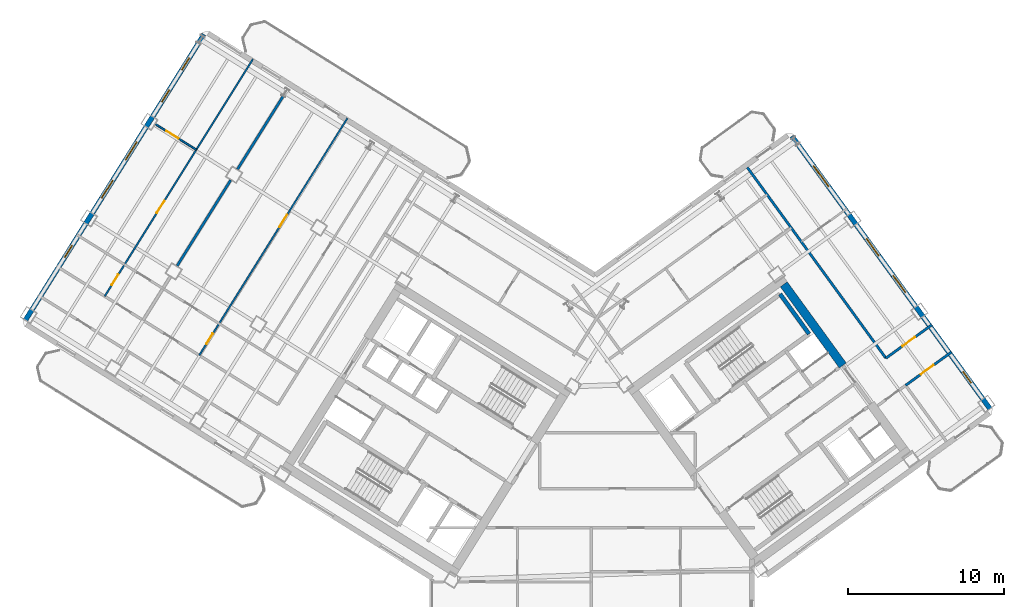
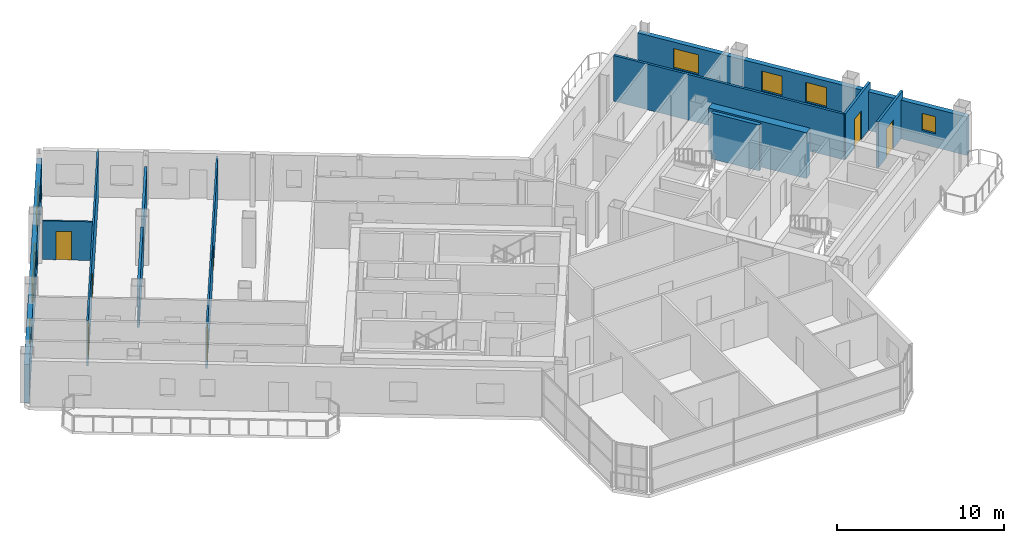
# One storey, part 15 of 20: 12 walls, 9 windows, 7 doors, 16 openings.
"""IFC4 building model written with IfcOpenShell, lengths in metres."""

from ifc_helpers import new_model, si_unit, direction, frame, frame_2d, origin, place, context, subcontext, project, spatial, rectangle, extrude, source, transform, mapped, material, layer, layer_set, type_object, element, fill, save


model = new_model("IFC4")

# Units and contexts
model_context = context("Model", 3, precision=1e-05, world=origin(), true_north=direction((0.0, 1.0)))
body_context = subcontext(model_context, "Body", "Model", "MODEL_VIEW")
ifc_project = project(units=[si_unit("LENGTHUNIT", "METRE"), si_unit("AREAUNIT", "SQUARE_METRE"), si_unit("VOLUMEUNIT", "CUBIC_METRE"), si_unit("PLANEANGLEUNIT", "RADIAN"), si_unit("MASSUNIT", "GRAM", prefix="KILO")], contexts=[model_context])

# Site, building, storey
site_placement = place(None, origin())
site = spatial("IfcSite", under=ifc_project, at=site_placement, CompositionType="ELEMENT")
building_placement = place(site_placement, origin())
building = spatial("IfcBuilding", under=site, at=building_placement, Name="Tlacorven Tower", CompositionType="ELEMENT")
storey_placement = place(building_placement, frame((0.0, 0.0, 204.0)))
storey = spatial("IfcBuildingStorey", under=building, at=storey_placement, Name="L51", CompositionType="ELEMENT", Elevation=204.0)

# Walls
ifc_material_1 = material(Name="Concrete C60/75", Category="concrete")
ifc_layer_1 = layer(ifc_material_1, 0.550048828125)
ifc_layer_set_1 = layer_set([ifc_layer_1], Name="Concrete C60/75")
wall_type_1 = type_object("IfcWallType", Name="WL-COR-550", PredefinedType="SHEAR", material=ifc_layer_set_1)
wall_1_placement = place(storey_placement, frame((58.06396484375, 25.8134765625, 0.0), z_axis=(0.0, 0.0, 1.0), x_axis=(-0.587764933797, 0.809031756236, 0.0)))
element("IfcWall", 1, at=wall_1_placement, inside=storey, type_object=wall_type_1, Name="L51 E core end wall E2.2", PredefinedType="SHEAR", context=body_context, shape_type="SweptSolid", body=[
    extrude(rectangle(XDim=6.425048828125, YDim=0.550048828125, at=frame_2d((3.21240234375, 0.0))), origin(), (0.0, 0.0, 1.0), 3.35009765625),
])
ifc_material_2 = material(Name="Gypsum plasterboard acoustic partition", Category="gypsum")
ifc_layer_2 = layer(ifc_material_2, 0.159912109375)
ifc_layer_set_2 = layer_set([ifc_layer_2], Name="Gypsum plasterboard acoustic partition")
wall_type_2 = type_object("IfcWallType", Name="WL-DEM-160", PredefinedType="PARTITIONING", material=ifc_layer_set_2)
wall_2_placement = place(storey_placement, frame((22.206298828125, 43.048828125, 0.0), z_axis=(0.0, 0.0, 1.0), x_axis=(-0.529919150083, -0.848048167486, 0.0)))
element("IfcWall", 2, at=wall_2_placement, inside=storey, type_object=wall_type_2, Name="L51 WS Demising Wall 1", PredefinedType="PARTITIONING", context=body_context, shape_type="SweptSolid", body=[
    extrude(rectangle(XDim=5.5009765625, YDim=0.159912109375, at=frame_2d((2.75048828125, 0.0))), origin(), (0.0, 0.0, 1.0), 2.824951171875),
])
wall_3_placement = place(storey_placement, frame((18.8544921875, 37.684814453125, 0.0), z_axis=(0.0, 0.0, 1.0), x_axis=(-0.529907440938, -0.848055484057, 0.0)))
element("IfcWall", 3, at=wall_3_placement, inside=storey, type_object=wall_type_2, Name="L51 WS Demising Wall 1", PredefinedType="PARTITIONING", context=body_context, shape_type="SweptSolid", body=[
    extrude(rectangle(XDim=6.475830078125, YDim=0.159912109375, at=frame_2d((3.23779296875, 0.0))), origin(), (0.0, 0.0, 1.0), 2.824951171875),
])
wall_4_placement = place(storey_placement, frame((60.829345703125, 26.277587890625, 0.0), z_axis=(0.0, 0.0, 1.0), x_axis=(-0.587777474174, 0.809022645451, 0.0)))
element("IfcWall", 4, at=wall_4_placement, inside=storey, type_object=wall_type_2, Name="L51 partition 88", PredefinedType="PARTITIONING", context=body_context, shape_type="SweptSolid", body=[
    extrude(rectangle(XDim=15.10009765625, YDim=0.159912109375, at=frame_2d((7.550048828125, 0.0))), origin(), (0.0, 0.0, 1.0), 3.340087890625),
])

# Wall, opening, door
wall_5_placement = place(storey_placement, frame((62.093017578125, 24.538330078125, 0.0), z_axis=(0.0, 0.0, 1.0), x_axis=(0.809035546126, 0.58775971715, 0.0)))
wall_5 = element("IfcWall", 5, at=wall_5_placement, inside=storey, type_object=wall_type_2, Name="L51 partition 90", PredefinedType="PARTITIONING", context=body_context, shape_type="SweptSolid", body=[
    extrude(rectangle(XDim=3.6298828125, YDim=0.159912109375, at=frame_2d((1.81494140625, 0.0))), origin(), (0.0, 0.0, 1.0), 3.340087890625),
])
opening_1_placement = place(wall_5_placement, frame((1.199951171875, 0.0, 0.0)))
opening_1 = element("IfcOpeningElement", 6, at=opening_1_placement, cuts=wall_5, Name="Opening D11", PredefinedType="OPENING", context=body_context, shape_type="SweptSolid", body=[
    extrude(rectangle(XDim=1.0, YDim=2.10009765625, at=frame_2d((0.5, 1.050048828125))), frame((0.0, 0.08984375, 0.0), z_axis=(0.0, -1.0, 0.0), x_axis=(1.0, 0.0, 0.0)), (0.0, 0.0, 1.0), 0.179931640625),
])
ifc_material_3 = material(Name="Fire-rated steel door assembly", Category="steel")
door_type_1 = type_object("IfcDoorType", Name="DR-FLT-FD60-1000", OperationType="NOTDEFINED", PredefinedType="DOOR", material=ifc_material_3)
shared_shape_1 = source(origin(), body_context, "Body", "SweptSolid", [
    extrude(rectangle(XDim=1.0, YDim=2.10009765625, at=frame_2d((0.5, 1.050048828125))), frame((0.0, 0.02490234375, 0.0), z_axis=(0.0, -1.0, 0.0), x_axis=(1.0, 0.0, 0.0)), (0.0, 0.0, 1.0), 0.050048828125),
])
door_1_placement = place(opening_1_placement, frame((1.0, 0.0, 0.0), z_axis=(0.0, 0.0, 1.0), x_axis=(-1.0, 0.0, 0.0)))
door_1 = element("IfcDoor", 7, at=door_1_placement, inside=storey, type_object=door_type_1, Name="L51 door 055", OperationType="SINGLE_SWING_LEFT", OverallHeight=2.10009765625, OverallWidth=1.0, PredefinedType="DOOR", context=body_context, shape_type="MappedRepresentation", body=[
    mapped(shared_shape_1, transform((0.0, 0.0, 0.0), scale=1.0)),
])
fill(opening_1, door_1)

wall_6_placement = place(storey_placement, frame((60.829345703125, 26.277587890625, 0.0), z_axis=(0.0, 0.0, 1.0), x_axis=(0.809003564202, 0.587803736896, 0.0)))
wall_6 = element("IfcWall", 8, at=wall_6_placement, inside=storey, type_object=wall_type_2, Name="L51 partition 91", PredefinedType="PARTITIONING", context=body_context, shape_type="SweptSolid", body=[
    extrude(rectangle(XDim=3.630126953125, YDim=0.159912109375, at=frame_2d((1.81494140625, 0.0))), origin(), (0.0, 0.0, 1.0), 3.340087890625),
])
opening_2_placement = place(wall_6_placement, frame((1.304931640625, 0.0, 0.0)))
opening_2 = element("IfcOpeningElement", 9, at=opening_2_placement, cuts=wall_6, Name="Opening D11", PredefinedType="OPENING", context=body_context, shape_type="SweptSolid", body=[
    extrude(rectangle(XDim=1.0, YDim=2.10009765625, at=frame_2d((0.5, 1.050048828125))), frame((0.0, 0.08984375, 0.0), z_axis=(0.0, -1.0, 0.0), x_axis=(1.0, 0.0, 0.0)), (0.0, 0.0, 1.0), 0.179931640625),
])
door_2_placement = place(opening_2_placement, origin())
door_2 = element("IfcDoor", 10, at=door_2_placement, inside=storey, type_object=door_type_1, Name="L51 door 053", OperationType="SINGLE_SWING_LEFT", OverallHeight=2.10009765625, OverallWidth=1.0, PredefinedType="DOOR", context=body_context, shape_type="MappedRepresentation", body=[
    mapped(shared_shape_1, transform((0.0, 0.0, 0.0), scale=1.0)),
])
fill(opening_2, door_2)

# Wall, openings, windows
ifc_material_4 = material(Name="Precast concrete C45/55", Category="concrete")
ifc_layer_3 = layer(ifc_material_4, 0.320068359375)
ifc_layer_set_3 = layer_set([ifc_layer_3], Name="Precast concrete C45/55")
wall_type_3 = type_object("IfcWallType", Name="WL-EXT-320", PredefinedType="STANDARD", material=ifc_layer_set_3)
wall_7_placement = place(storey_placement, frame((5.699951171875, 28.71044921875, 0.0), z_axis=(0.0, 0.0, 1.0), x_axis=(0.529923711467, 0.8480453172, 0.0)))
wall_7 = element("IfcWall", 11, at=wall_7_placement, inside=storey, type_object=wall_type_3, Name="L51 Masonry-Frame Recessed Facade Wall 2", PredefinedType="STANDARD", context=body_context, shape_type="SweptSolid", body=[
    extrude(rectangle(XDim=21.58740234375, YDim=0.320068359375, at=frame_2d((10.793701171875, 0.0))), origin(), (0.0, 0.0, 1.0), 2.824951171875),
])
opening_3_placement = place(wall_7_placement, frame((4.748779296875, 0.0, 1.0)))
opening_3 = element("IfcOpeningElement", 12, at=opening_3_placement, cuts=wall_7, Name="Opening WN05", PredefinedType="OPENING", context=body_context, shape_type="SweptSolid", body=[
    extrude(rectangle(XDim=0.89990234375, YDim=1.25, at=frame_2d((0.449951171875, 0.625))), frame((0.0, 0.169921875, 0.0), z_axis=(0.0, -1.0, 0.0), x_axis=(1.0, 0.0, 0.0)), (0.0, 0.0, 1.0), 0.340087890625),
])
opening_4_placement = place(wall_7_placement, frame((9.21875, 0.0, 0.89990234375)))
opening_4 = element("IfcOpeningElement", 13, at=opening_4_placement, cuts=wall_7, Name="Opening WN08", PredefinedType="OPENING", context=body_context, shape_type="SweptSolid", body=[
    extrude(rectangle(XDim=1.35009765625, YDim=1.449951171875, at=frame_2d((0.675048828125, 0.72509765625))), frame((0.0, 0.169921875, 0.0), z_axis=(0.0, -1.0, 0.0), x_axis=(1.0, 0.0, 0.0)), (0.0, 0.0, 1.0), 0.340087890625),
])
opening_5_placement = place(wall_7_placement, frame((12.11865234375, 0.0, 0.89990234375)))
opening_5 = element("IfcOpeningElement", 14, at=opening_5_placement, cuts=wall_7, Name="Opening WN08", PredefinedType="OPENING", context=body_context, shape_type="SweptSolid", body=[
    extrude(rectangle(XDim=1.35009765625, YDim=1.449951171875, at=frame_2d((0.675048828125, 0.72509765625))), frame((0.0, 0.169921875, 0.0), z_axis=(0.0, -1.0, 0.0), x_axis=(1.0, 0.0, 0.0)), (0.0, 0.0, 1.0), 0.340087890625),
])
opening_6_placement = place(wall_7_placement, frame((16.5, 0.0, 1.0)))
opening_6 = element("IfcOpeningElement", 15, at=opening_6_placement, cuts=wall_7, Name="Opening WN05", PredefinedType="OPENING", context=body_context, shape_type="SweptSolid", body=[
    extrude(rectangle(XDim=0.89990234375, YDim=1.25, at=frame_2d((0.449951171875, 0.625))), frame((0.0, 0.169921875, 0.0), z_axis=(0.0, -1.0, 0.0), x_axis=(1.0, 0.0, 0.0)), (0.0, 0.0, 1.0), 0.340087890625),
])
opening_7_placement = place(wall_7_placement, frame((18.91259765625, 0.0, 1.0)))
opening_7 = element("IfcOpeningElement", 16, at=opening_7_placement, cuts=wall_7, Name="Opening WN05", PredefinedType="OPENING", context=body_context, shape_type="SweptSolid", body=[
    extrude(rectangle(XDim=0.89990234375, YDim=1.25, at=frame_2d((0.449951171875, 0.625))), frame((0.0, 0.169921875, 0.0), z_axis=(0.0, -1.0, 0.0), x_axis=(1.0, 0.0, 0.0)), (0.0, 0.0, 1.0), 0.340087890625),
])
ifc_material_5 = material(Name="Dark solar low-E double glazing in anodised aluminium frame", Category="aluminium")
window_type_1 = type_object("IfcWindowType", Name="WN-APT-0900X1350", PartitioningType="SINGLE_PANEL", PredefinedType="WINDOW", material=ifc_material_5)
shared_shape_2 = source(origin(), body_context, "Body", "SweptSolid", [
    extrude(rectangle(XDim=0.89990234375, YDim=1.25, at=frame_2d((0.449951171875, 0.625))), frame((0.0, 0.030029296875, 0.0), z_axis=(0.0, -1.0, 0.0), x_axis=(1.0, 0.0, 0.0)), (0.0, 0.0, 1.0), 0.06005859375),
])
window_1_placement = place(opening_3_placement, origin())
window_1 = element("IfcWindow", 17, at=window_1_placement, inside=storey, type_object=window_type_1, Name="L51 Recessed Masonry-Frame Window L51-02.1", OverallHeight=1.25, OverallWidth=0.89990234375, PartitioningType="SINGLE_PANEL", PredefinedType="WINDOW", context=body_context, shape_type="MappedRepresentation", body=[
    mapped(shared_shape_2, transform((0.0, 0.0, 0.0), scale=1.0)),
])
fill(opening_3, window_1)
window_2_placement = place(opening_6_placement, origin())
window_2 = element("IfcWindow", 18, at=window_2_placement, inside=storey, type_object=window_type_1, Name="L51 Recessed Masonry-Frame Window L51-02.4", OverallHeight=1.25, OverallWidth=0.89990234375, PartitioningType="SINGLE_PANEL", PredefinedType="WINDOW", context=body_context, shape_type="MappedRepresentation", body=[
    mapped(shared_shape_2, transform((0.0, 0.0, 0.0), scale=1.0)),
])
fill(opening_6, window_2)
window_3_placement = place(opening_7_placement, origin())
window_3 = element("IfcWindow", 19, at=window_3_placement, inside=storey, type_object=window_type_1, Name="L51 Recessed Masonry-Frame Window L51-02.5", OverallHeight=1.25, OverallWidth=0.89990234375, PartitioningType="SINGLE_PANEL", PredefinedType="WINDOW", context=body_context, shape_type="MappedRepresentation", body=[
    mapped(shared_shape_2, transform((0.0, 0.0, 0.0), scale=1.0)),
])
fill(opening_7, window_3)
window_type_2 = type_object("IfcWindowType", Name="WN-APT-1350X1550", PartitioningType="SINGLE_PANEL", PredefinedType="WINDOW", material=ifc_material_5)
shared_shape_3 = source(origin(), body_context, "Body", "SweptSolid", [
    extrude(rectangle(XDim=1.35009765625, YDim=1.449951171875, at=frame_2d((0.675048828125, 0.72509765625))), frame((0.0, 0.030029296875, 0.0), z_axis=(0.0, -1.0, 0.0), x_axis=(1.0, 0.0, 0.0)), (0.0, 0.0, 1.0), 0.06005859375),
])
window_4_placement = place(opening_4_placement, origin())
window_4 = element("IfcWindow", 20, at=window_4_placement, inside=storey, type_object=window_type_2, Name="L51 Recessed Masonry-Frame Window L51-02.2", OverallHeight=1.449951171875, OverallWidth=1.35009765625, PartitioningType="SINGLE_PANEL", PredefinedType="WINDOW", context=body_context, shape_type="MappedRepresentation", body=[
    mapped(shared_shape_3, transform((0.0, 0.0, 0.0), scale=1.0)),
])
fill(opening_4, window_4)
window_5_placement = place(opening_5_placement, origin())
window_5 = element("IfcWindow", 21, at=window_5_placement, inside=storey, type_object=window_type_2, Name="L51 Recessed Masonry-Frame Window L51-02.3", OverallHeight=1.449951171875, OverallWidth=1.35009765625, PartitioningType="SINGLE_PANEL", PredefinedType="WINDOW", context=body_context, shape_type="MappedRepresentation", body=[
    mapped(shared_shape_3, transform((0.0, 0.0, 0.0), scale=1.0)),
])
fill(opening_5, window_5)

wall_8_placement = place(storey_placement, frame((54.810302734375, 40.49951171875, 0.0), z_axis=(0.0, 0.0, 1.0), x_axis=(0.587783625747, -0.809018176127, 0.0)))
wall_8 = element("IfcWall", 22, at=wall_8_placement, inside=storey, type_object=wall_type_3, Name="L51 Masonry-Frame Recessed Facade Wall 5", PredefinedType="STANDARD", context=body_context, shape_type="SweptSolid", body=[
    extrude(rectangle(XDim=21.58740234375, YDim=0.320068359375, at=frame_2d((10.793701171875, 0.0))), origin(), (0.0, 0.0, 1.0), 2.824951171875),
])
opening_8_placement = place(wall_8_placement, frame((2.3427734375, 0.0, 0.89990234375)))
opening_8 = element("IfcOpeningElement", 23, at=opening_8_placement, cuts=wall_8, Name="Opening WN07", PredefinedType="OPENING", context=body_context, shape_type="SweptSolid", body=[
    extrude(rectangle(XDim=1.64990234375, YDim=1.449951171875, at=frame_2d((0.824951171875, 0.72509765625))), frame((0.0, 0.169921875, 0.0), z_axis=(0.0, -1.0, 0.0), x_axis=(1.0, 0.0, 0.0)), (0.0, 0.0, 1.0), 0.340087890625),
])
opening_9_placement = place(wall_8_placement, frame((8.11865234375, 0.0, 0.89990234375)))
opening_9 = element("IfcOpeningElement", 24, at=opening_9_placement, cuts=wall_8, Name="Opening WN08", PredefinedType="OPENING", context=body_context, shape_type="SweptSolid", body=[
    extrude(rectangle(XDim=1.35009765625, YDim=1.449951171875, at=frame_2d((0.675048828125, 0.72509765625))), frame((0.0, 0.169921875, 0.0), z_axis=(0.0, -1.0, 0.0), x_axis=(1.0, 0.0, 0.0)), (0.0, 0.0, 1.0), 0.340087890625),
])
opening_10_placement = place(wall_8_placement, frame((11.018798828125, 0.0, 0.89990234375)))
opening_10 = element("IfcOpeningElement", 25, at=opening_10_placement, cuts=wall_8, Name="Opening WN08", PredefinedType="OPENING", context=body_context, shape_type="SweptSolid", body=[
    extrude(rectangle(XDim=1.35009765625, YDim=1.449951171875, at=frame_2d((0.675048828125, 0.72509765625))), frame((0.0, 0.169921875, 0.0), z_axis=(0.0, -1.0, 0.0), x_axis=(1.0, 0.0, 0.0)), (0.0, 0.0, 1.0), 0.340087890625),
])
opening_11_placement = place(wall_8_placement, frame((18.6337890625, 0.0, 1.0)))
opening_11 = element("IfcOpeningElement", 26, at=opening_11_placement, cuts=wall_8, Name="Opening WN05", PredefinedType="OPENING", context=body_context, shape_type="SweptSolid", body=[
    extrude(rectangle(XDim=0.89990234375, YDim=1.25, at=frame_2d((0.449951171875, 0.625))), frame((0.0, 0.169921875, 0.0), z_axis=(0.0, -1.0, 0.0), x_axis=(1.0, 0.0, 0.0)), (0.0, 0.0, 1.0), 0.340087890625),
])
window_6_placement = place(opening_11_placement, origin())
window_6 = element("IfcWindow", 27, at=window_6_placement, inside=storey, type_object=window_type_1, Name="L51 Recessed Masonry-Frame Window L51-05.4", OverallHeight=1.25, OverallWidth=0.89990234375, PartitioningType="SINGLE_PANEL", PredefinedType="WINDOW", context=body_context, shape_type="MappedRepresentation", body=[
    mapped(shared_shape_2, transform((0.0, 0.0, 0.0), scale=1.0)),
])
fill(opening_11, window_6)
window_type_3 = type_object("IfcWindowType", Name="WN-APT-1650X1600", PartitioningType="SINGLE_PANEL", PredefinedType="WINDOW", material=ifc_material_5)
shared_shape_4 = source(origin(), body_context, "Body", "SweptSolid", [
    extrude(rectangle(XDim=1.64990234375, YDim=1.449951171875, at=frame_2d((0.824951171875, 0.72509765625))), frame((0.0, 0.030029296875, 0.0), z_axis=(0.0, -1.0, 0.0), x_axis=(1.0, 0.0, 0.0)), (0.0, 0.0, 1.0), 0.06005859375),
])
window_7_placement = place(opening_8_placement, origin())
window_7 = element("IfcWindow", 28, at=window_7_placement, inside=storey, type_object=window_type_3, Name="L51 Recessed Masonry-Frame Window L51-05.1", OverallHeight=1.449951171875, OverallWidth=1.64990234375, PartitioningType="SINGLE_PANEL", PredefinedType="WINDOW", context=body_context, shape_type="MappedRepresentation", body=[
    mapped(shared_shape_4, transform((0.0, 0.0, 0.0), scale=1.0)),
])
fill(opening_8, window_7)
window_8_placement = place(opening_9_placement, origin())
window_8 = element("IfcWindow", 29, at=window_8_placement, inside=storey, type_object=window_type_2, Name="L51 Recessed Masonry-Frame Window L51-05.2", OverallHeight=1.449951171875, OverallWidth=1.35009765625, PartitioningType="SINGLE_PANEL", PredefinedType="WINDOW", context=body_context, shape_type="MappedRepresentation", body=[
    mapped(shared_shape_3, transform((0.0, 0.0, 0.0), scale=1.0)),
])
fill(opening_9, window_8)
window_9_placement = place(opening_10_placement, origin())
window_9 = element("IfcWindow", 30, at=window_9_placement, inside=storey, type_object=window_type_2, Name="L51 Recessed Masonry-Frame Window L51-05.3", OverallHeight=1.449951171875, OverallWidth=1.35009765625, PartitioningType="SINGLE_PANEL", PredefinedType="WINDOW", context=body_context, shape_type="MappedRepresentation", body=[
    mapped(shared_shape_3, transform((0.0, 0.0, 0.0), scale=1.0)),
])
fill(opening_10, window_9)

# Wall, openings, doors
ifc_material_6 = material(Name="Gypsum plasterboard partition", Category="gypsum")
ifc_layer_4 = layer(ifc_material_6, 0.110107421875)
ifc_layer_set_4 = layer_set([ifc_layer_4], Name="Gypsum plasterboard partition")
wall_type_4 = type_object("IfcWallType", Name="WL-INT-110", PredefinedType="PARTITIONING", material=ifc_layer_set_4)
wall_9_placement = place(storey_placement, frame((26.335693359375, 41.656005859375, 0.0), z_axis=(0.0, 0.0, 1.0), x_axis=(-0.529916887708, -0.848049581169, 0.0)))
wall_9 = element("IfcWall", 31, at=wall_9_placement, inside=storey, type_object=wall_type_4, Name="L51 partition 54", PredefinedType="PARTITIONING", context=body_context, shape_type="SweptSolid", body=[
    extrude(rectangle(XDim=17.919921875, YDim=0.110107421875, at=frame_2d((8.9599609375, 0.0))), origin(), (0.0, 0.0, 1.0), 2.9951171875),
])
opening_12_placement = place(wall_9_placement, frame((16.280029296875, 0.0, 0.0)))
opening_12 = element("IfcOpeningElement", 32, at=opening_12_placement, cuts=wall_9, Name="Opening D22", PredefinedType="OPENING", context=body_context, shape_type="SweptSolid", body=[
    extrude(rectangle(XDim=0.780029296875, YDim=2.050048828125, at=frame_2d((0.39013671875, 1.02490234375))), frame((0.0, 0.06494140625, 0.0), z_axis=(0.0, -1.0, 0.0), x_axis=(1.0, 0.0, 0.0)), (0.0, 0.0, 1.0), 0.130126953125),
])
opening_13_placement = place(wall_9_placement, frame((7.300048828125, 0.0, 0.0)))
opening_13 = element("IfcOpeningElement", 33, at=opening_13_placement, cuts=wall_9, Name="Opening D12", PredefinedType="OPENING", context=body_context, shape_type="SweptSolid", body=[
    extrude(rectangle(XDim=0.919921875, YDim=2.080078125, at=frame_2d((0.4599609375, 1.0400390625))), frame((0.0, 0.06494140625, 0.0), z_axis=(0.0, -1.0, 0.0), x_axis=(1.0, 0.0, 0.0)), (0.0, 0.0, 1.0), 0.130126953125),
])
ifc_material_7 = material(Name="Powder-coated aluminium and timber door", Category="wood")
door_type_2 = type_object("IfcDoorType", Name="DR-INT-WET-0780", OperationType="NOTDEFINED", PredefinedType="DOOR", material=ifc_material_7)
shared_shape_5 = source(origin(), body_context, "Body", "SweptSolid", [
    extrude(rectangle(XDim=0.780029296875, YDim=2.050048828125, at=frame_2d((0.39013671875, 1.02490234375))), frame((0.0, 0.02490234375, 0.0), z_axis=(0.0, -1.0, 0.0), x_axis=(1.0, 0.0, 0.0)), (0.0, 0.0, 1.0), 0.050048828125),
])
door_3_placement = place(opening_12_placement, origin())
door_3 = element("IfcDoor", 34, at=door_3_placement, inside=storey, type_object=door_type_2, Name="L51 door 026", OperationType="SINGLE_SWING_RIGHT", OverallHeight=2.050048828125, OverallWidth=0.780029296875, PredefinedType="DOOR", context=body_context, shape_type="MappedRepresentation", body=[
    mapped(shared_shape_5, transform((0.0, 0.0, 0.0), scale=1.0)),
])
fill(opening_12, door_3)
door_type_3 = type_object("IfcDoorType", Name="DR-INT-ROOM-0920", OperationType="NOTDEFINED", PredefinedType="DOOR", material=ifc_material_7)
shared_shape_6 = source(origin(), body_context, "Body", "SweptSolid", [
    extrude(rectangle(XDim=0.919921875, YDim=2.080078125, at=frame_2d((0.4599609375, 1.0400390625))), frame((0.0, 0.02490234375, 0.0), z_axis=(0.0, -1.0, 0.0), x_axis=(1.0, 0.0, 0.0)), (0.0, 0.0, 1.0), 0.050048828125),
])
door_4_placement = place(opening_13_placement, origin())
door_4 = element("IfcDoor", 35, at=door_4_placement, inside=storey, type_object=door_type_3, Name="L51 door 027", OperationType="SINGLE_SWING_LEFT", OverallHeight=2.080078125, OverallWidth=0.919921875, PredefinedType="DOOR", context=body_context, shape_type="MappedRepresentation", body=[
    mapped(shared_shape_6, transform((0.0, 0.0, 0.0), scale=1.0)),
])
fill(opening_13, door_4)

wall_10_placement = place(storey_placement, frame((20.280517578125, 45.439697265625, 0.0), z_axis=(0.0, 0.0, 1.0), x_axis=(-0.529916887708, -0.848049581169, 0.0)))
wall_10 = element("IfcWall", 36, at=wall_10_placement, inside=storey, type_object=wall_type_4, Name="L51 partition 59", PredefinedType="PARTITIONING", context=body_context, shape_type="SweptSolid", body=[
    extrude(rectangle(XDim=17.919921875, YDim=0.110107421875, at=frame_2d((8.9599609375, 0.0))), origin(), (0.0, 0.0, 1.0), 3.340087890625),
])
opening_14_placement = place(wall_10_placement, frame((16.280029296875, 0.0, 0.0)))
opening_14 = element("IfcOpeningElement", 37, at=opening_14_placement, cuts=wall_10, Name="Opening D22", PredefinedType="OPENING", context=body_context, shape_type="SweptSolid", body=[
    extrude(rectangle(XDim=0.780029296875, YDim=2.050048828125, at=frame_2d((0.39013671875, 1.02490234375))), frame((0.0, 0.06494140625, 0.0), z_axis=(0.0, -1.0, 0.0), x_axis=(1.0, 0.0, 0.0)), (0.0, 0.0, 1.0), 0.130126953125),
])
opening_15_placement = place(wall_10_placement, frame((10.71142578125, 0.0, 0.0)))
opening_15 = element("IfcOpeningElement", 38, at=opening_15_placement, cuts=wall_10, Name="Opening D12", PredefinedType="OPENING", context=body_context, shape_type="SweptSolid", body=[
    extrude(rectangle(XDim=0.919921875, YDim=2.080078125, at=frame_2d((0.4599609375, 1.0400390625))), frame((0.0, 0.06494140625, 0.0), z_axis=(0.0, -1.0, 0.0), x_axis=(1.0, 0.0, 0.0)), (0.0, 0.0, 1.0), 0.130126953125),
])
door_5_placement = place(opening_14_placement, origin())
door_5 = element("IfcDoor", 39, at=door_5_placement, inside=storey, type_object=door_type_2, Name="L51 door 032", OperationType="SINGLE_SWING_RIGHT", OverallHeight=2.050048828125, OverallWidth=0.780029296875, PredefinedType="DOOR", context=body_context, shape_type="MappedRepresentation", body=[
    mapped(shared_shape_5, transform((0.0, 0.0, 0.0), scale=1.0)),
])
fill(opening_14, door_5)
door_6_placement = place(opening_15_placement, origin())
door_6 = element("IfcDoor", 40, at=door_6_placement, inside=storey, type_object=door_type_3, Name="L51 door 033", OperationType="SINGLE_SWING_LEFT", OverallHeight=2.080078125, OverallWidth=0.919921875, PredefinedType="DOOR", context=body_context, shape_type="MappedRepresentation", body=[
    mapped(shared_shape_6, transform((0.0, 0.0, 0.0), scale=1.0)),
])
fill(opening_15, door_6)

# Wall, opening, door
wall_11_placement = place(storey_placement, frame((16.654296875, 39.636474609375, 0.0), z_axis=(0.0, 0.0, 1.0), x_axis=(-0.848060484804, 0.529899437736, 0.0)))
wall_11 = element("IfcWall", 41, at=wall_11_placement, inside=storey, type_object=wall_type_4, Name="L51 partition 63", PredefinedType="PARTITIONING", context=body_context, shape_type="SweptSolid", body=[
    extrude(rectangle(XDim=3.087890625, YDim=0.110107421875, at=frame_2d((1.5439453125, 0.0))), origin(), (0.0, 0.0, 1.0), 2.824951171875),
])
opening_16_placement = place(wall_11_placement, frame((1.35009765625, 0.0, 0.0)))
opening_16 = element("IfcOpeningElement", 42, at=opening_16_placement, cuts=wall_11, Name="Opening D12", PredefinedType="OPENING", context=body_context, shape_type="SweptSolid", body=[
    extrude(rectangle(XDim=0.919921875, YDim=2.080078125, at=frame_2d((0.4599609375, 1.0400390625))), frame((0.0, 0.06494140625, 0.0), z_axis=(0.0, -1.0, 0.0), x_axis=(1.0, 0.0, 0.0)), (0.0, 0.0, 1.0), 0.130126953125),
])
door_7_placement = place(opening_16_placement, origin())
door_7 = element("IfcDoor", 43, at=door_7_placement, inside=storey, type_object=door_type_3, Name="L51 door 034", OperationType="SINGLE_SWING_LEFT", OverallHeight=2.080078125, OverallWidth=0.919921875, PredefinedType="DOOR", context=body_context, shape_type="MappedRepresentation", body=[
    mapped(shared_shape_6, transform((0.0, 0.0, 0.0), scale=1.0)),
])
fill(opening_16, door_7)

# Wall
ifc_material_8 = material(Name="Concrete C50/60", Category="concrete")
ifc_layer_5 = layer(ifc_material_8, 0.260009765625)
ifc_layer_set_5 = layer_set([ifc_layer_5], Name="Concrete C50/60")
wall_type_5 = type_object("IfcWallType", Name="WL-STW-260", PredefinedType="SHEAR", material=ifc_layer_set_5)
wall_12_placement = place(storey_placement, frame((55.906494140625, 27.83056640625, 0.0), z_axis=(0.0, 0.0, 1.0), x_axis=(-0.587804123638, 0.809003283204, 0.0)))
element("IfcWall", 44, at=wall_12_placement, inside=storey, type_object=wall_type_5, Name="L51 Stair E1 East Shear Wall", PredefinedType="SHEAR", context=body_context, shape_type="SweptSolid", body=[
    extrude(rectangle(XDim=3.159912109375, YDim=0.260009765625, at=frame_2d((1.580078125, 0.0))), origin(), (0.0, 0.0, 1.0), 3.35009765625),
])

save(model, "model.ifc")
